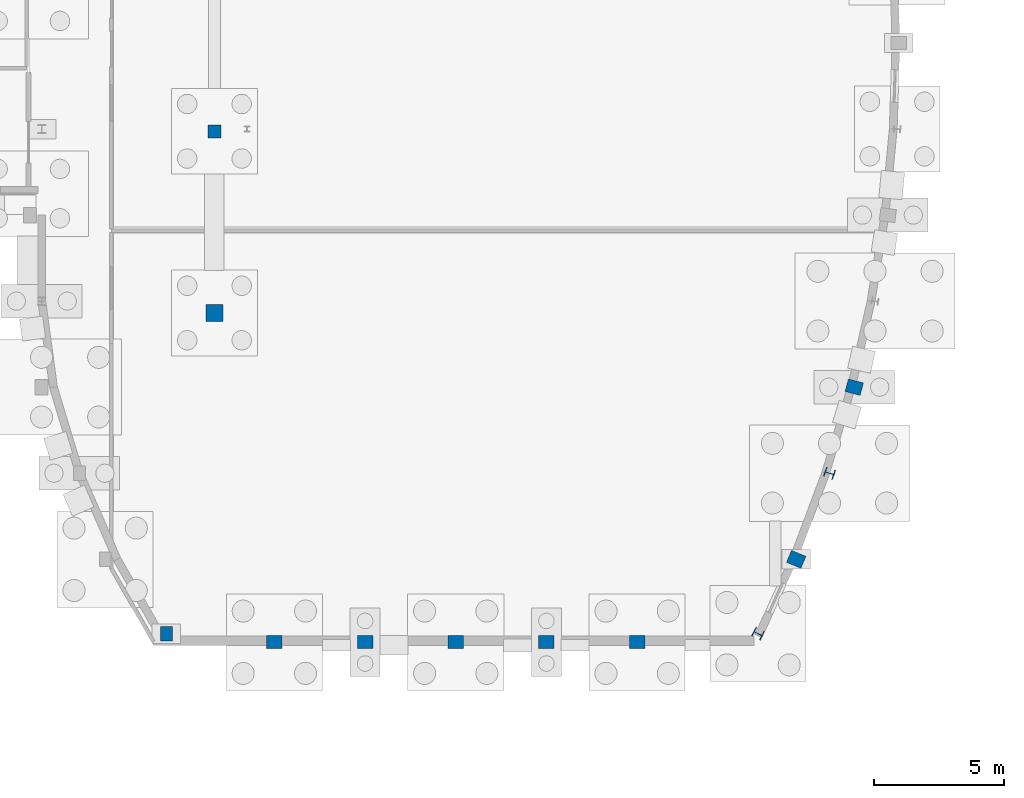
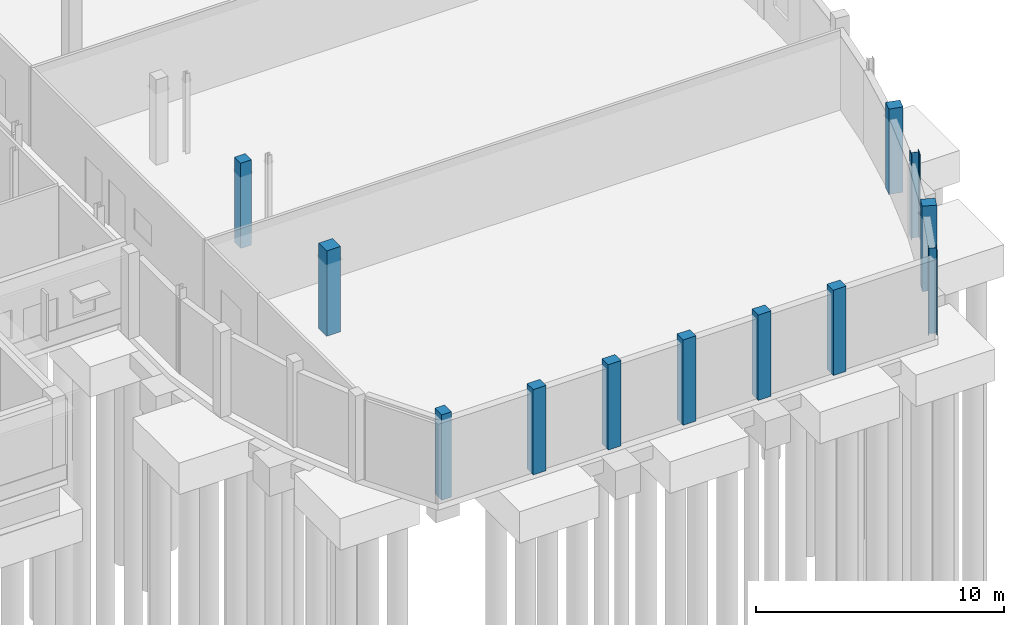
# One storey, part 23 of 93: 12 columns.
"""IFC4 building model written with IfcOpenShell, lengths in metres."""

from ifc_helpers import new_model, si_unit, direction, frame, origin, origin_2d, place, context, subcontext, project, spatial, rectangle, i_section, extrude, material, material_profile, profile_set, type_object, element, save


model = new_model("IFC4")

# Units and contexts
model_context = context("Model", 3, precision=1e-05, world=origin(), true_north=direction((0.0, 1.0)))
body_context = subcontext(model_context, "Body", "Model", "MODEL_VIEW")
ifc_project = project(units=[si_unit("LENGTHUNIT", "METRE"), si_unit("AREAUNIT", "SQUARE_METRE"), si_unit("VOLUMEUNIT", "CUBIC_METRE"), si_unit("PLANEANGLEUNIT", "RADIAN"), si_unit("MASSUNIT", "GRAM", prefix="KILO")], contexts=[model_context])

# Site, building, storey
site_placement = place(None, origin())
site = spatial("IfcSite", under=ifc_project, at=site_placement, CompositionType="ELEMENT")
building_placement = place(site_placement, origin())
building = spatial("IfcBuilding", under=site, at=building_placement, Name="Kelanivale Promenade Academy", CompositionType="ELEMENT")
storey_placement = place(building_placement, origin())
storey = spatial("IfcBuildingStorey", under=building, at=storey_placement, Name="L00", CompositionType="ELEMENT", Elevation=0.0)

# Columns
ifc_material_1 = material(Name="Concrete C40/50", Category="concrete")
ifc_material_profile_1 = material_profile(ifc_material_1, rectangle(XDim=0.5, YDim=0.5, at=origin_2d()), Name="RC-COL 500x500")
ifc_profile_set_1 = profile_set([ifc_material_profile_1], Name="Concrete C40/50")
column_type_1 = type_object("IfcColumnType", Name="C-03 RC-COL 500x500", PredefinedType="COLUMN", material=ifc_profile_set_1)
column_1_placement = place(storey_placement, frame((130.0, 52.800048828125, 0.0), z_axis=(0.0, 0.0, 1.0), x_axis=(1.0, 0.0, 0.0)))
element("IfcColumn", 1, at=column_1_placement, inside=storey, type_object=column_type_1, Name="Column C-03 at (130.0, 52.8) L00", PredefinedType="COLUMN", context=body_context, shape_type="SweptSolid", body=[
    extrude(rectangle(XDim=0.5, YDim=0.5, at=origin_2d()), origin(), (0.0, 0.0, 1.0), 4.199951171875),
])
ifc_material_profile_2 = material_profile(ifc_material_1, rectangle(XDim=0.64990234375, YDim=0.64990234375, at=origin_2d()), Name="RC-COL 650x650")
ifc_profile_set_2 = profile_set([ifc_material_profile_2], Name="Concrete C40/50")
column_type_2 = type_object("IfcColumnType", Name="C-06 RC-COL 650x650", PredefinedType="COLUMN", material=ifc_profile_set_2)
column_2_placement = place(storey_placement, frame((130.0, 45.800048828125, 0.0), z_axis=(0.0, 0.0, 1.0), x_axis=(1.0, 0.0, 0.0)))
element("IfcColumn", 2, at=column_2_placement, inside=storey, type_object=column_type_2, Name="Column C-06 at (130.0, 45.8) L00", PredefinedType="COLUMN", context=body_context, shape_type="SweptSolid", body=[
    extrude(rectangle(XDim=0.64990234375, YDim=0.64990234375, at=origin_2d()), origin(), (0.0, 0.0, 1.0), 4.199951171875),
])
ifc_material_profile_3 = material_profile(ifc_material_1, rectangle(XDim=0.449951171875, YDim=0.550048828125, at=origin_2d()), Name="RC-PIL 450x550")
ifc_profile_set_3 = profile_set([ifc_material_profile_3], Name="Concrete C40/50")
column_type_3 = type_object("IfcColumnType", Name="PL-17 RC-PIL 450x550", PredefinedType="PILASTER", material=ifc_profile_set_3)
column_3_placement = place(storey_placement, frame((128.14990234375, 33.449951171875, 0.0), z_axis=(0.0, 0.0, 1.0), x_axis=(1.0, 0.0, 0.0)))
element("IfcColumn", 3, at=column_3_placement, inside=storey, type_object=column_type_3, Name="Column PL-17 at (128.2, 33.5) L00", PredefinedType="PILASTER", context=body_context, shape_type="SweptSolid", body=[
    extrude(rectangle(XDim=0.449951171875, YDim=0.550048828125, at=origin_2d()), origin(), (0.0, 0.0, 1.0), 4.199951171875),
])
ifc_material_profile_4 = material_profile(ifc_material_1, rectangle(XDim=0.5, YDim=0.60009765625, at=origin_2d()), Name="RC-PIL 500x600")
ifc_profile_set_4 = profile_set([ifc_material_profile_4], Name="Concrete C40/50")
column_type_4 = type_object("IfcColumnType", Name="PL-18 RC-PIL 500x600", PredefinedType="PILASTER", material=ifc_profile_set_4)
for number, where, z_axis, x_axis, name in (
    (4, (132.30810546875, 33.1201171875, 0.0), (0.0, 0.0, 1.0), (0.0, 1.0, 0.0), "Column PL-18 at (132.3, 33.1) L00"),
    (5, (135.801025390625, 33.1201171875, 0.0), (0.0, 0.0, 1.0), (0.0, 1.0, 0.0), "Column PL-18 at (135.8, 33.1) L00"),
    (6, (139.2939453125, 33.1201171875, 0.0), (0.0, 0.0, 1.0), (0.0, 1.0, 0.0), "Column PL-18 at (139.3, 33.1) L00"),
    (7, (142.787109375, 33.1201171875, 0.0), (0.0, 0.0, 1.0), (0.0, 1.0, 0.0), "Column PL-18 at (142.8, 33.1) L00"),
    (8, (146.280029296875, 33.1201171875, 0.0), (0.0, 0.0, 1.0), (0.0, 1.0, 0.0), "Column PL-18 at (146.3, 33.1) L00"),
    (9, (152.406982421875, 36.31396484375, 0.0), (0.0, 0.0, 1.0), (0.382360914263, 0.92401305794, 0.0), "Column PL-18 at (152.4, 36.3) L00"),
    (10, (154.64208984375, 42.943115234375, 0.0), (0.0, 0.0, 1.0), (0.2549394954, 0.966957007154, 0.0), "Column PL-18 at (154.6, 42.9) L00"),
):
    element("IfcColumn", number, at=place(storey_placement, frame(where, z_axis=z_axis, x_axis=x_axis)), inside=storey, type_object=column_type_4, Name=name, PredefinedType="PILASTER", context=body_context, shape_type="SweptSolid", body=[
        extrude(rectangle(XDim=0.5, YDim=0.60009765625, at=origin_2d()), origin(), (0.0, 0.0, 1.0), 4.199951171875),
    ])
ifc_material_2 = material(Name="Steel S355", Category="steel")
ifc_material_profile_5 = material_profile(ifc_material_2, i_section(OverallWidth=0.37060546875, OverallDepth=0.362060546875, WebThickness=0.01220703125, FlangeThickness=0.020751953125, FilletRadius=0.01513671875, at=origin_2d()), Name="UC 356x368x153")
ifc_profile_set_5 = profile_set([ifc_material_profile_5], Name="Steel S355")
column_type_5 = type_object("IfcColumnType", Name="SC-05 UC 356x368x153", PredefinedType="COLUMN", material=ifc_profile_set_5)
for number, where, z_axis, x_axis, name in (
    (11, (150.93798828125, 33.449951171875, 0.0), (0.0, 0.0, 1.0), (0.44619781311, 0.894934361602, 0.0), "Column SC-05 at (150.9, 33.5) L00"),
    (12, (153.68896484375, 39.62890625, 0.0), (0.0, 0.0, 1.0), (0.318628456287, 0.947879690069, 0.0), "Column SC-05 at (153.7, 39.6) L00"),
):
    element("IfcColumn", number, at=place(storey_placement, frame(where, z_axis=z_axis, x_axis=x_axis)), inside=storey, type_object=column_type_5, Name=name, PredefinedType="COLUMN", context=body_context, shape_type="SweptSolid", body=[
        extrude(i_section(OverallWidth=0.37060546875, OverallDepth=0.362060546875, WebThickness=0.01220703125, FlangeThickness=0.020751953125, FilletRadius=0.01513671875, at=origin_2d()), origin(), (0.0, 0.0, 1.0), 4.199951171875),
    ])

save(model, "model.ifc")
